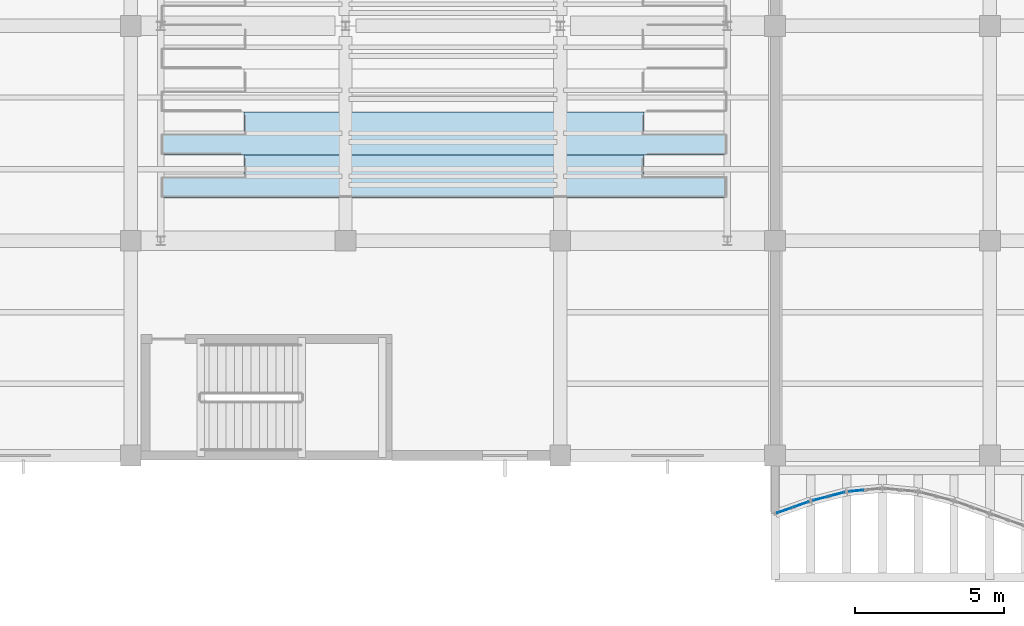
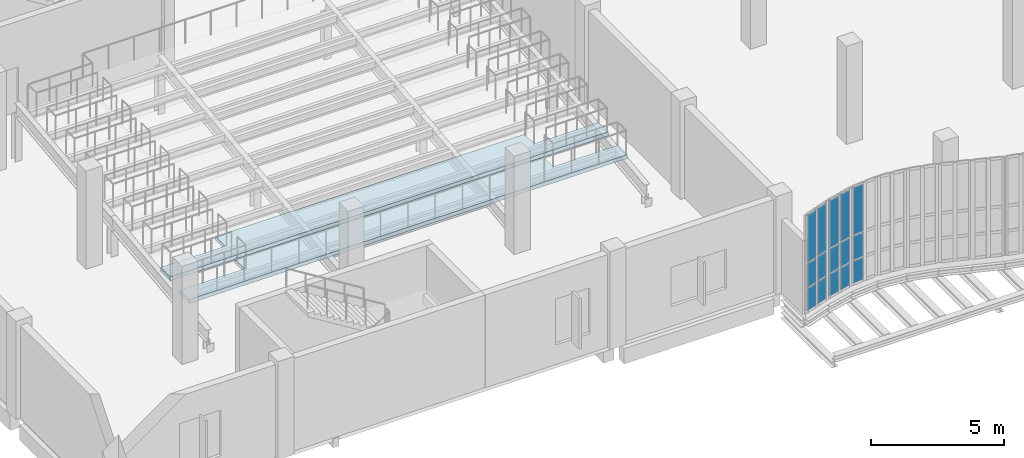
# One storey, part 66 of 108: 15 plates, 2 slabs, 3 elements without a shape of their own.
"""IFC4 building model written with IfcOpenShell, lengths in metres."""

from ifc_helpers import new_model, si_unit, direction, frame, origin, origin_2d, place, context, subcontext, project, spatial, polyline, rectangle, outline, extrude, material, layer, layer_set, type_object, element, aggregate, save


model = new_model("IFC4")

# Units and contexts
model_context = context("Model", 3, precision=1e-05, world=origin(), true_north=direction((0.0, 1.0)))
body_context = subcontext(model_context, "Body", "Model", "MODEL_VIEW")
ifc_project = project(units=[si_unit("LENGTHUNIT", "METRE"), si_unit("AREAUNIT", "SQUARE_METRE"), si_unit("VOLUMEUNIT", "CUBIC_METRE"), si_unit("PLANEANGLEUNIT", "RADIAN"), si_unit("MASSUNIT", "GRAM", prefix="KILO"), si_unit("THERMODYNAMICTEMPERATUREUNIT", "KELVIN"), si_unit("POWERUNIT", "WATT")], contexts=[model_context])

# Site, building, storey
site_placement = place(None, origin())
site = spatial("IfcSite", under=ifc_project, at=site_placement, CompositionType="ELEMENT")
building_placement = place(site_placement, origin())
building = spatial("IfcBuilding", under=site, at=building_placement, Name="Kaldorven Railside Theatre", CompositionType="ELEMENT")
storey_placement = place(building_placement, frame((0.0, 0.0, 5.39990234375)))
storey = spatial("IfcBuildingStorey", under=building, at=storey_placement, Name="L01", CompositionType="ELEMENT", Elevation=5.39990234375)

# Curtain wall, plates
ifc_material_1 = material(Name="Low-E laminated solar-control glass", Category="glass")
ifc_layer_1 = layer(ifc_material_1, 0.159912109375, Name="Low-E laminated solar-control glass")
ifc_layer_set_1 = layer_set([ifc_layer_1], Name="Low-E laminated solar-control glass")
curtain_wall_type_1 = type_object("IfcCurtainWallType", Name="CWT-01", PredefinedType="USERDEFINED", material=ifc_layer_set_1)
curtain_wall_1_placement = place(storey_placement, origin())
curtain_wall_1 = element("IfcCurtainWall", 1, at=curtain_wall_1_placement, inside=storey, type_object=curtain_wall_type_1, Name="Sinusoidal Fluted Curtain Wall CW-L01-S01", ObjectType="FLUTED GLAZING", PredefinedType="USERDEFINED")
ifc_layer_2 = layer(ifc_material_1, 0.028076171875, Name="Low-E laminated solar-control glass")
ifc_layer_set_2 = layer_set([ifc_layer_2], Name="Low-E laminated solar-control glass")
plate_type = type_object("IfcPlateType", Name="CWP-GLZ28", PredefinedType="CURTAIN_PANEL", material=ifc_layer_set_2)
plate_1_placement = place(storey_placement, frame((37.118896484375, 17.363037109375, 0.06005859375), z_axis=(0.0, 0.0, 1.0), x_axis=(0.942627225159, 0.33384714225, 0.0)))
plate_1 = element("IfcPlate", 2, at=plate_1_placement, type_object=plate_type, Name="CW-L01-S01 panel 1.1", PredefinedType="CURTAIN_PANEL", context=body_context, shape_type="SweptSolid", body=[
    extrude(rectangle(XDim=0.5166015625, YDim=0.028076171875, at=origin_2d()), origin(), (0.0, 0.0, 1.0), 1.010009765625),
])
plate_2_placement = place(storey_placement, frame((37.118896484375, 17.363037109375, 1.1298828125), z_axis=(0.0, 0.0, 1.0), x_axis=(0.942627225159, 0.33384714225, 0.0)))
plate_2 = element("IfcPlate", 3, at=plate_2_placement, type_object=plate_type, Name="CW-L01-S01 panel 1.2", PredefinedType="CURTAIN_PANEL", context=body_context, shape_type="SweptSolid", body=[
    extrude(rectangle(XDim=0.5166015625, YDim=0.028076171875, at=origin_2d()), origin(), (0.0, 0.0, 1.0), 1.090087890625),
])
plate_3_placement = place(storey_placement, frame((37.118896484375, 17.363037109375, 2.2802734375), z_axis=(0.0, 0.0, 1.0), x_axis=(0.942627225159, 0.33384714225, 0.0)))
plate_3 = element("IfcPlate", 4, at=plate_3_placement, type_object=plate_type, Name="CW-L01-S01 panel 1.3", PredefinedType="CURTAIN_PANEL", context=body_context, shape_type="SweptSolid", body=[
    extrude(rectangle(XDim=0.5166015625, YDim=0.028076171875, at=origin_2d()), origin(), (0.0, 0.0, 1.0), 2.159912109375),
])
plate_4_placement = place(storey_placement, frame((37.68115234375, 17.56201171875, 0.06005859375), z_axis=(0.0, 0.0, 1.0), x_axis=(0.942627225159, 0.33384714225, 0.0)))
plate_4 = element("IfcPlate", 5, at=plate_4_placement, type_object=plate_type, Name="CW-L01-S01 panel 2.1", PredefinedType="CURTAIN_PANEL", context=body_context, shape_type="SweptSolid", body=[
    extrude(rectangle(XDim=0.5166015625, YDim=0.028076171875, at=origin_2d()), origin(), (0.0, 0.0, 1.0), 1.010009765625),
])
plate_5_placement = place(storey_placement, frame((37.68115234375, 17.56201171875, 1.1298828125), z_axis=(0.0, 0.0, 1.0), x_axis=(0.942627225159, 0.33384714225, 0.0)))
plate_5 = element("IfcPlate", 6, at=plate_5_placement, type_object=plate_type, Name="CW-L01-S01 panel 2.2", PredefinedType="CURTAIN_PANEL", context=body_context, shape_type="SweptSolid", body=[
    extrude(rectangle(XDim=0.5166015625, YDim=0.028076171875, at=origin_2d()), origin(), (0.0, 0.0, 1.0), 1.090087890625),
])
plate_6_placement = place(storey_placement, frame((37.68115234375, 17.56201171875, 2.2802734375), z_axis=(0.0, 0.0, 1.0), x_axis=(0.942627225159, 0.33384714225, 0.0)))
plate_6 = element("IfcPlate", 7, at=plate_6_placement, type_object=plate_type, Name="CW-L01-S01 panel 2.3", PredefinedType="CURTAIN_PANEL", context=body_context, shape_type="SweptSolid", body=[
    extrude(rectangle(XDim=0.5166015625, YDim=0.028076171875, at=origin_2d()), origin(), (0.0, 0.0, 1.0), 2.159912109375),
])
aggregate(curtain_wall_1, [plate_1, plate_2, plate_3, plate_4, plate_5, plate_6])

ifc_layer_3 = layer(ifc_material_1, 0.159912109375, Name="Low-E laminated solar-control glass")
ifc_layer_set_3 = layer_set([ifc_layer_3], Name="Low-E laminated solar-control glass")
curtain_wall_type_2 = type_object("IfcCurtainWallType", Name="CWT-02", PredefinedType="USERDEFINED", material=ifc_layer_set_3)
curtain_wall_2_placement = place(storey_placement, origin())
curtain_wall_2 = element("IfcCurtainWall", 8, at=curtain_wall_2_placement, inside=storey, type_object=curtain_wall_type_2, Name="Sinusoidal Fluted Curtain Wall CW-L01-S02", ObjectType="FLUTED GLAZING", PredefinedType="USERDEFINED")
plate_7_placement = place(storey_placement, frame((38.3193359375, 17.7578125, 0.06005859375), z_axis=(0.0, 0.0, 1.0), x_axis=(0.967999075505, 0.250953760326, 0.0)))
plate_7 = element("IfcPlate", 9, at=plate_7_placement, type_object=plate_type, Name="CW-L01-S02 panel 1.1", PredefinedType="CURTAIN_PANEL", context=body_context, shape_type="SweptSolid", body=[
    extrude(rectangle(XDim=0.499755859375, YDim=0.028076171875, at=origin_2d()), origin(), (0.0, 0.0, 1.0), 1.010009765625),
])
plate_8_placement = place(storey_placement, frame((38.3193359375, 17.7578125, 1.1298828125), z_axis=(0.0, 0.0, 1.0), x_axis=(0.967999075505, 0.250953760326, 0.0)))
plate_8 = element("IfcPlate", 10, at=plate_8_placement, type_object=plate_type, Name="CW-L01-S02 panel 1.2", PredefinedType="CURTAIN_PANEL", context=body_context, shape_type="SweptSolid", body=[
    extrude(rectangle(XDim=0.499755859375, YDim=0.028076171875, at=origin_2d()), origin(), (0.0, 0.0, 1.0), 1.090087890625),
])
plate_9_placement = place(storey_placement, frame((38.3193359375, 17.7578125, 2.2802734375), z_axis=(0.0, 0.0, 1.0), x_axis=(0.967999075505, 0.250953760326, 0.0)))
plate_9 = element("IfcPlate", 11, at=plate_9_placement, type_object=plate_type, Name="CW-L01-S02 panel 1.3", PredefinedType="CURTAIN_PANEL", context=body_context, shape_type="SweptSolid", body=[
    extrude(rectangle(XDim=0.499755859375, YDim=0.028076171875, at=origin_2d()), origin(), (0.0, 0.0, 1.0), 2.159912109375),
])
plate_10_placement = place(storey_placement, frame((38.880615234375, 17.9033203125, 0.06005859375), z_axis=(0.0, 0.0, 1.0), x_axis=(0.967999075505, 0.250953760326, 0.0)))
plate_10 = element("IfcPlate", 12, at=plate_10_placement, type_object=plate_type, Name="CW-L01-S02 panel 2.1", PredefinedType="CURTAIN_PANEL", context=body_context, shape_type="SweptSolid", body=[
    extrude(rectangle(XDim=0.499755859375, YDim=0.028076171875, at=origin_2d()), origin(), (0.0, 0.0, 1.0), 1.010009765625),
])
plate_11_placement = place(storey_placement, frame((38.880615234375, 17.9033203125, 1.1298828125), z_axis=(0.0, 0.0, 1.0), x_axis=(0.967999075505, 0.250953760326, 0.0)))
plate_11 = element("IfcPlate", 13, at=plate_11_placement, type_object=plate_type, Name="CW-L01-S02 panel 2.2", PredefinedType="CURTAIN_PANEL", context=body_context, shape_type="SweptSolid", body=[
    extrude(rectangle(XDim=0.499755859375, YDim=0.028076171875, at=origin_2d()), origin(), (0.0, 0.0, 1.0), 1.090087890625),
])
plate_12_placement = place(storey_placement, frame((38.880615234375, 17.9033203125, 2.2802734375), z_axis=(0.0, 0.0, 1.0), x_axis=(0.967999075505, 0.250953760326, 0.0)))
plate_12 = element("IfcPlate", 14, at=plate_12_placement, type_object=plate_type, Name="CW-L01-S02 panel 2.3", PredefinedType="CURTAIN_PANEL", context=body_context, shape_type="SweptSolid", body=[
    extrude(rectangle(XDim=0.499755859375, YDim=0.028076171875, at=origin_2d()), origin(), (0.0, 0.0, 1.0), 2.159912109375),
])
aggregate(curtain_wall_2, [plate_7, plate_8, plate_9, plate_10, plate_11, plate_12])

ifc_layer_4 = layer(ifc_material_1, 0.159912109375, Name="Low-E laminated solar-control glass")
ifc_layer_set_4 = layer_set([ifc_layer_4], Name="Low-E laminated solar-control glass")
curtain_wall_type_3 = type_object("IfcCurtainWallType", Name="CWT-03", PredefinedType="USERDEFINED", material=ifc_layer_set_4)
curtain_wall_3_placement = place(storey_placement, origin())
curtain_wall_3 = element("IfcCurtainWall", 15, at=curtain_wall_3_placement, inside=storey, type_object=curtain_wall_type_3, Name="Sinusoidal Fluted Curtain Wall CW-L01-S03", ObjectType="FLUTED GLAZING", PredefinedType="USERDEFINED")
plate_13_placement = place(storey_placement, frame((39.52001953125, 18.016357421875, 0.06005859375), z_axis=(0.0, 0.0, 1.0), x_axis=(0.995525623425, 0.094491973758, 0.0)))
plate_13 = element("IfcPlate", 16, at=plate_13_placement, type_object=plate_type, Name="CW-L01-S03 panel 1.1", PredefinedType="CURTAIN_PANEL", context=body_context, shape_type="SweptSolid", body=[
    extrude(rectangle(XDim=0.482666015625, YDim=0.028076171875, at=origin_2d()), origin(), (0.0, 0.0, 1.0), 1.010009765625),
])
plate_14_placement = place(storey_placement, frame((39.52001953125, 18.016357421875, 1.1298828125), z_axis=(0.0, 0.0, 1.0), x_axis=(0.995525623425, 0.094491973758, 0.0)))
plate_14 = element("IfcPlate", 17, at=plate_14_placement, type_object=plate_type, Name="CW-L01-S03 panel 1.2", PredefinedType="CURTAIN_PANEL", context=body_context, shape_type="SweptSolid", body=[
    extrude(rectangle(XDim=0.482666015625, YDim=0.028076171875, at=origin_2d()), origin(), (0.0, 0.0, 1.0), 1.090087890625),
])
plate_15_placement = place(storey_placement, frame((39.52001953125, 18.016357421875, 2.2802734375), z_axis=(0.0, 0.0, 1.0), x_axis=(0.995525623425, 0.094491973758, 0.0)))
plate_15 = element("IfcPlate", 18, at=plate_15_placement, type_object=plate_type, Name="CW-L01-S03 panel 1.3", PredefinedType="CURTAIN_PANEL", context=body_context, shape_type="SweptSolid", body=[
    extrude(rectangle(XDim=0.482666015625, YDim=0.028076171875, at=origin_2d()), origin(), (0.0, 0.0, 1.0), 2.159912109375),
])
aggregate(curtain_wall_3, [plate_13, plate_14, plate_15])

# Slabs
ifc_material_2 = material(Name="Concrete C35/45", Category="concrete")
ifc_layer_5 = layer(ifc_material_2, 0.179931640625, Name="Concrete C35/45")
ifc_layer_set_5 = layer_set([ifc_layer_5], Name="Concrete C35/45")
slab_type = type_object("IfcSlabType", Name="SLB-TIER-180", PredefinedType="USERDEFINED", material=ifc_layer_set_5)
slab_1_placement = place(storey_placement, frame((0.0, 0.0, 1.239990234375)))
element("IfcSlab", 19, at=slab_1_placement, inside=storey, type_object=slab_type, Name="V3S Seating Tier 02", ObjectType="SEATING TIER", PredefinedType="USERDEFINED", context=body_context, shape_type="SweptSolid", body=[
    extrude(outline(polyline([(16.199951171875, 27.840087890625), (35.199951171875, 27.840087890625), (35.199951171875, 28.56005859375), (32.39990234375, 28.56005859375), (32.39990234375, 29.280029296875), (19.0, 29.280029296875), (19.0, 28.56005859375), (16.199951171875, 28.56005859375), (16.199951171875, 27.840087890625)])), origin(), (0.0, 0.0, 1.0), 0.18017578125),
])
slab_2_placement = place(storey_placement, frame((0.0, 0.0, 1.41015625)))
element("IfcSlab", 20, at=slab_2_placement, inside=storey, type_object=slab_type, Name="V3S Seating Tier 03", ObjectType="SEATING TIER", PredefinedType="USERDEFINED", context=body_context, shape_type="SweptSolid", body=[
    extrude(outline(polyline([(16.199951171875, 29.280029296875), (35.199951171875, 29.280029296875), (35.199951171875, 30.0), (32.39990234375, 30.0), (32.39990234375, 30.719970703125), (19.0, 30.719970703125), (19.0, 30.0), (16.199951171875, 30.0), (16.199951171875, 29.280029296875)])), origin(), (0.0, 0.0, 1.0), 0.179931640625),
])

save(model, "model.ifc")
